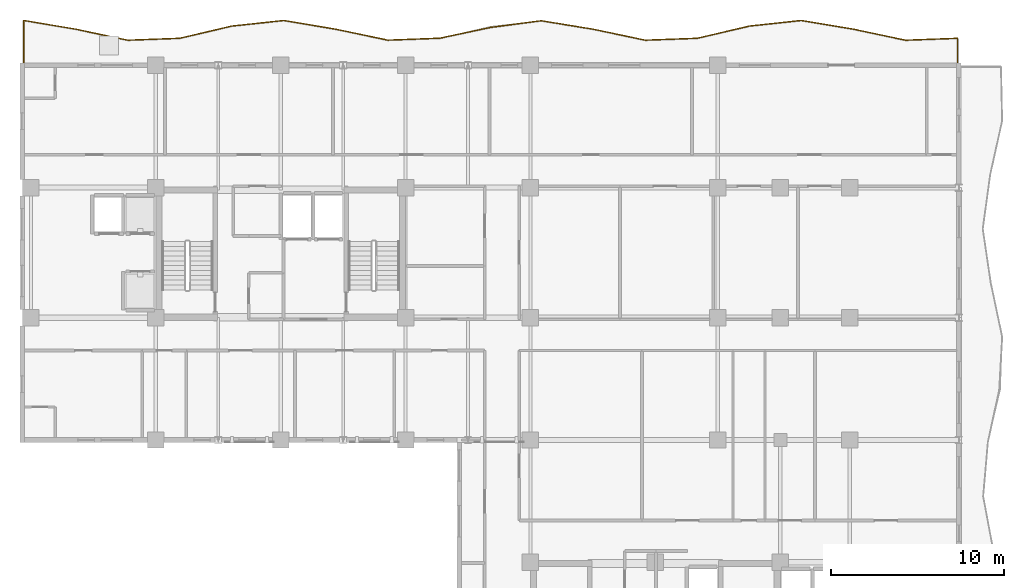
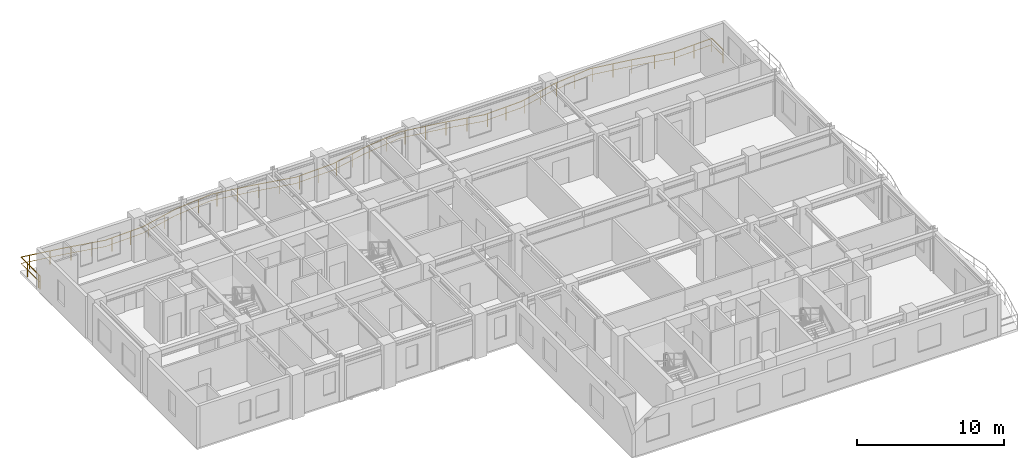
# One storey, part 13 of 14: 1 railing.
"""IFC4 building model written with IfcOpenShell, lengths in metres."""

import ifcopenshell
import ifcopenshell.guid

model = None  # the IFC model being written
_history = None  # IfcOwnerHistory: only IFC2X3 demands one
_inside = {}  # id of a spatial element -> (the spatial element, [elements in it])
_under = {}  # id of a project, library or spatial element -> (it, [spatial elements below it])
_declared = {}  # id of a project -> (the project, [libraries it declares])
_typed = {}  # id of a type object -> (the type object, [elements of that type])
_made_of = {}  # id of a material, layer set ... -> (it, [elements and type objects made of it])


def new_model(schema):
    """Start an empty IFC model of exactly this schema.

    Asked for "IFC4X3", IfcOpenShell would pick the latest addendum, in which some entities
    have other attributes; the version numbers below select the first issue.
    IFC2X3 requires an IfcOwnerHistory on every rooted entity: one is made here for all.
    """
    global model, _history
    if schema == "IFC4X3":
        model = ifcopenshell.file(schema_version=(4, 3, 0, 0))
    else:
        model = ifcopenshell.file(schema=schema)
    _inside.clear()
    _under.clear()
    _declared.clear()
    _typed.clear()
    _made_of.clear()
    _history = None
    if model.schema == "IFC2X3":
        org = make("IfcOrganization", Name="unknown")
        user = make(
            "IfcPersonAndOrganization",
            ThePerson=make("IfcPerson", FamilyName="unknown"),
            TheOrganization=org,
        )
        app = make(
            "IfcApplication",
            ApplicationDeveloper=org,
            Version="unknown",
            ApplicationFullName="unknown",
            ApplicationIdentifier="unknown",
        )
        _history = make(
            "IfcOwnerHistory",
            OwningUser=user,
            OwningApplication=app,
            ChangeAction="ADDED",
            CreationDate=0,
        )
    return model


def make(cls, **values):
    """One entity of the class cls with the attributes given. An attribute that is None is left unset."""
    return model.create_entity(
        cls, **{name: value for name, value in values.items() if value is not None}
    )


def rooted(cls, **values):
    """An entity with a GlobalId (a new one), such as an element, a storey or a relation."""
    return make(cls, GlobalId=ifcopenshell.guid.new(), OwnerHistory=_history, **values)


def si_unit(unit_type, name, prefix=None):
    """IfcSIUnit, for example si_unit("LENGTHUNIT", "METRE", prefix="MILLI")."""
    return make("IfcSIUnit", UnitType=unit_type, Prefix=prefix, Name=name)


def assignment(units):
    """IfcUnitAssignment: the units of a project."""
    return None if units is None else make("IfcUnitAssignment", Units=units)


def point(xyz):
    """IfcCartesianPoint."""
    return None if xyz is None else make("IfcCartesianPoint", Coordinates=xyz)


def direction(xyz):
    """IfcDirection."""
    return None if xyz is None else make("IfcDirection", DirectionRatios=xyz)


def frame(location, z_axis=None, x_axis=None):
    """IfcAxis2Placement3D, a coordinate frame: its origin and axes. An axis left out is left unset."""
    return make(
        "IfcAxis2Placement3D",
        Location=point(location),
        Axis=direction(z_axis),
        RefDirection=direction(x_axis),
    )


def frame_2d(location, x_axis=None):
    """IfcAxis2Placement2D, a coordinate frame in the plane: its origin and x axis."""
    return make(
        "IfcAxis2Placement2D", Location=point(location), RefDirection=direction(x_axis)
    )


def origin():
    """The frame at (0, 0, 0) with its axes left unset."""
    return frame((0.0, 0.0, 0.0))


def origin_2d():
    """The frame at (0, 0) in the plane with its x axis left unset."""
    return frame_2d((0.0, 0.0))


def place(relative_to, where):
    """IfcLocalPlacement: puts the frame where relative to a parent placement (None: the world)."""
    return make(
        "IfcLocalPlacement", PlacementRelTo=relative_to, RelativePlacement=where
    )


def context(
    kind, dimensions, precision=None, world=None, true_north=None, identifier=None
):
    """IfcGeometricRepresentationContext, for example the 3D "Model" context."""
    return make(
        "IfcGeometricRepresentationContext",
        ContextIdentifier=identifier,
        ContextType=kind,
        CoordinateSpaceDimension=dimensions,
        Precision=precision,
        WorldCoordinateSystem=world,
        TrueNorth=true_north,
    )


def subcontext(parent, identifier, kind, view, scale=None):
    """IfcGeometricRepresentationSubContext, for example "Body" below "Model"."""
    return make(
        "IfcGeometricRepresentationSubContext",
        ContextIdentifier=identifier,
        ContextType=kind,
        ParentContext=parent,
        TargetScale=scale,
        TargetView=view,
    )


def project(units=None, contexts=None):
    """IfcProject with its units and contexts."""
    return rooted(
        "IfcProject",
        Name="project",
        RepresentationContexts=contexts,
        UnitsInContext=assignment(units),
    )


def spatial(cls, under=None, at=None, **own):
    """A site, building, storey or space (cls), placed at a placement, below another one or the project."""
    s = rooted(cls, ObjectPlacement=at, **own)
    if under is not None:
        _under.setdefault(under.id(), (under, []))[1].append(s)
    return s


def profile(cls, at=None, kind="AREA", **sizes):
    """A parametric profile (cls). Its sizes go by their IFC names, for example OverallWidth=200.0."""
    return make(cls, ProfileType=kind, Position=at, **sizes)


def rectangle(**sizes):
    """IfcRectangleProfileDef."""
    return profile("IfcRectangleProfileDef", **sizes)


def extrude(swept, where, along, depth):
    """IfcExtrudedAreaSolid: the profile swept, set in the frame where, extruded along a direction by depth."""
    return make(
        "IfcExtrudedAreaSolid",
        SweptArea=swept,
        Position=where,
        ExtrudedDirection=direction(along),
        Depth=depth,
    )


def shape(context_of_items, identifier, shape_type, items):
    """IfcShapeRepresentation: the items that make up one representation, for example the "Body"."""
    return make(
        "IfcShapeRepresentation",
        ContextOfItems=context_of_items,
        RepresentationIdentifier=identifier,
        RepresentationType=shape_type,
        Items=items,
    )


def material(Name=None, Category=None):
    """IfcMaterial."""
    return make("IfcMaterial", Name=Name, Category=Category)


def made_of(thing, what):
    """Note that an element or type object is made of a material, layer set ...; save() writes the relation."""
    if what is not None:
        _made_of.setdefault(what.id(), (what, []))[1].append(thing)
    return thing


def type_object(cls, material=None, **own):
    """A type object (cls), such as IfcWallType, which elements share."""
    return made_of(rooted(cls, **own), material)


def element(
    cls,
    number,
    at=None,
    inside=None,
    cuts=None,
    type_object=None,
    material=None,
    context=None,
    identifier="Body",
    shape_type=None,
    held_by="IfcProductDefinitionShape",
    body=None,
    shapes=None,
    **own,
):
    """One element of the class cls, such as IfcWall. Its Tag is "e" and its number.

    at: its placement. inside: the storey or other place that contains it. cuts: it is an
    opening in that element (IfcRelVoidsElement). A single representation is given by context,
    identifier, shape_type and body (its items); several are given by shapes. held_by: the class
    of the entity that holds the representations. save() writes the other relations.
    """
    e = rooted(cls, Tag="e%d" % number, ObjectPlacement=at, **own)
    if body is not None:
        shapes = [shape(context, identifier, shape_type, body)]
    if shapes is not None:
        e.Representation = make(held_by, Representations=shapes)
    if inside is not None:
        _inside.setdefault(inside.id(), (inside, []))[1].append(e)
    if cuts is not None:
        rooted(
            "IfcRelVoidsElement", RelatingBuildingElement=cuts, RelatedOpeningElement=e
        )
    if type_object is not None:
        _typed.setdefault(type_object.id(), (type_object, []))[1].append(e)
    return made_of(e, material)


def aggregate(whole, parts):
    """IfcRelAggregates: a whole, such as a stair, and the parts it consists of."""
    return rooted("IfcRelAggregates", RelatingObject=whole, RelatedObjects=parts)


def save(model, path):
    """Write the relations noted so far, then the file.

    IfcRelAggregates (storeys below a building ...), IfcRelContainedInSpatialStructure (elements
    in a storey), IfcRelDefinesByType, IfcRelAssociatesMaterial and IfcRelDeclares: one each for
    every whole, place, type object, material and project.
    """
    for whole, parts in _under.values():
        aggregate(whole, parts)
    for where, things in _inside.values():
        rooted(
            "IfcRelContainedInSpatialStructure",
            RelatedElements=things,
            RelatingStructure=where,
        )
    for kind, things in _typed.values():
        rooted("IfcRelDefinesByType", RelatedObjects=things, RelatingType=kind)
    for what, things in _made_of.values():
        rooted("IfcRelAssociatesMaterial", RelatedObjects=things, RelatingMaterial=what)
    for by, libraries in _declared.values():
        rooted("IfcRelDeclares", RelatingContext=by, RelatedDefinitions=libraries)
    model.write(path)


model = new_model("IFC4")

# Units and contexts
model_context = context("Model", 3, precision=1e-05, world=origin(), true_north=direction((0.0, 1.0)))
body_context = subcontext(model_context, "Body", "Model", "MODEL_VIEW")
ifc_project = project(units=[si_unit("LENGTHUNIT", "METRE"), si_unit("AREAUNIT", "SQUARE_METRE"), si_unit("VOLUMEUNIT", "CUBIC_METRE"), si_unit("PLANEANGLEUNIT", "RADIAN"), si_unit("MASSUNIT", "GRAM", prefix="KILO")], contexts=[model_context])

# Site, building, storey
site_placement = place(None, origin())
site = spatial("IfcSite", under=ifc_project, at=site_placement, CompositionType="ELEMENT")
building_placement = place(site_placement, origin())
building = spatial("IfcBuilding", under=site, at=building_placement, Name="Kaliganga Portal Commons", CompositionType="ELEMENT")
storey_placement = place(building_placement, frame((0.0, 0.0, 220.300048828125)))
storey = spatial("IfcBuildingStorey", under=building, at=storey_placement, Name="L56", CompositionType="ELEMENT", Elevation=220.300048828125)

# Railing
ifc_material = material(Name="Laminated Safety Glass and Stainless Steel 316", Category="steel")
railing_type = type_object("IfcRailingType", Name="RLG-BAL-1150", PredefinedType="BALUSTRADE", material=ifc_material)
railing_placement = place(storey_placement, frame((60.6201171875, 43.205322265625, 0.0)))
element("IfcRailing", 1, at=railing_placement, inside=storey, type_object=railing_type, Name="Balcony Guardrail L56 balc_north", PredefinedType="BALUSTRADE", context=body_context, shape_type="SweptSolid", body=[
    extrude(rectangle(XDim=0.048095703125, YDim=0.048095703125, at=origin_2d()), frame((0.0, 0.0, 1.1259765625), z_axis=(0.0, 1.0, 0.0), x_axis=(-1.0, 0.0, 0.0)), (0.0, 0.0, 1.0), 1.5556640625),
    extrude(rectangle(XDim=0.028076171875, YDim=0.028076171875, at=origin_2d()), frame((0.0, 0.0, 0.597900390625), z_axis=(0.0, 1.0, 0.0), x_axis=(-1.0, 0.0, 0.0)), (0.0, 0.0, 1.0), 1.5556640625),
    extrude(rectangle(XDim=0.048095703125, YDim=0.048095703125, at=origin_2d()), frame((0.0, 1.5556640625, 1.1259765625), z_axis=(-0.999309140454, -0.03716506162, 0.0), x_axis=(0.03716506162, -0.999309140454, 0.0)), (0.0, 0.0, 1.0), 3.001953125),
    extrude(rectangle(XDim=0.028076171875, YDim=0.028076171875, at=origin_2d()), frame((0.0, 1.5556640625, 0.597900390625), z_axis=(-0.999309140454, -0.03716506162, 0.0), x_axis=(0.03716506162, -0.999309140454, 0.0)), (0.0, 0.0, 1.0), 3.001953125),
    extrude(rectangle(XDim=0.048095703125, YDim=0.048095703125, at=origin_2d()), frame((-3.0, 1.444091796875, 1.1259765625), z_axis=(-0.978275241205, 0.207310280607, 0.0), x_axis=(-0.207310280607, -0.978275241205, 0.0)), (0.0, 0.0, 1.0), 3.066650390625),
    extrude(rectangle(XDim=0.028076171875, YDim=0.028076171875, at=origin_2d()), frame((-3.0, 1.444091796875, 0.597900390625), z_axis=(-0.978275241205, 0.207310280607, 0.0), x_axis=(-0.207310280607, -0.978275241205, 0.0)), (0.0, 0.0, 1.0), 3.066650390625),
    extrude(rectangle(XDim=0.048095703125, YDim=0.048095703125, at=origin_2d()), frame((-6.0, 2.079833984375, 1.1259765625), z_axis=(-0.986198008648, 0.165570189766, 0.0), x_axis=(-0.165570189766, -0.986198008648, 0.0)), (0.0, 0.0, 1.0), 3.0419921875),
    extrude(rectangle(XDim=0.028076171875, YDim=0.028076171875, at=origin_2d()), frame((-6.0, 2.079833984375, 0.597900390625), z_axis=(-0.986198008648, 0.165570189766, 0.0), x_axis=(-0.165570189766, -0.986198008648, 0.0)), (0.0, 0.0, 1.0), 3.0419921875),
    extrude(rectangle(XDim=0.048095703125, YDim=0.048095703125, at=origin_2d()), frame((-9.0, 2.58349609375, 1.1259765625), z_axis=(-0.994219425712, -0.107367283359, 0.0), x_axis=(0.107367283359, -0.994219425712, 0.0)), (0.0, 0.0, 1.0), 3.017333984375),
    extrude(rectangle(XDim=0.028076171875, YDim=0.028076171875, at=origin_2d()), frame((-9.0, 2.58349609375, 0.597900390625), z_axis=(-0.994219425712, -0.107367283359, 0.0), x_axis=(0.107367283359, -0.994219425712, 0.0)), (0.0, 0.0, 1.0), 3.017333984375),
    extrude(rectangle(XDim=0.048095703125, YDim=0.048095703125, at=origin_2d()), frame((-12.0, 2.259521484375, 1.1259765625), z_axis=(-0.973633911269, -0.228116213423, 0.0), x_axis=(0.228116213423, -0.973633911269, 0.0)), (0.0, 0.0, 1.0), 3.081298828125),
    extrude(rectangle(XDim=0.028076171875, YDim=0.028076171875, at=origin_2d()), frame((-12.0, 2.259521484375, 0.597900390625), z_axis=(-0.973633911269, -0.228116213423, 0.0), x_axis=(0.228116213423, -0.973633911269, 0.0)), (0.0, 0.0, 1.0), 3.081298828125),
    extrude(rectangle(XDim=0.048095703125, YDim=0.048095703125, at=origin_2d()), frame((-15.0, 1.556640625, 1.1259765625), z_axis=(-0.999321169091, -0.036840209114, 0.0), x_axis=(0.036840209114, -0.999321169091, 0.0)), (0.0, 0.0, 1.0), 3.001953125),
    extrude(rectangle(XDim=0.028076171875, YDim=0.028076171875, at=origin_2d()), frame((-15.0, 1.556640625, 0.597900390625), z_axis=(-0.999321169091, -0.036840209114, 0.0), x_axis=(0.036840209114, -0.999321169091, 0.0)), (0.0, 0.0, 1.0), 3.001953125),
    extrude(rectangle(XDim=0.048095703125, YDim=0.048095703125, at=origin_2d()), frame((-18.0, 1.446044921875, 1.1259765625), z_axis=(-0.978597077501, 0.205785713563, 0.0), x_axis=(-0.205785713563, -0.978597077501, 0.0)), (0.0, 0.0, 1.0), 3.065673828125),
    extrude(rectangle(XDim=0.028076171875, YDim=0.028076171875, at=origin_2d()), frame((-18.0, 1.446044921875, 0.597900390625), z_axis=(-0.978597077501, 0.205785713563, 0.0), x_axis=(-0.205785713563, -0.978597077501, 0.0)), (0.0, 0.0, 1.0), 3.065673828125),
    extrude(rectangle(XDim=0.048095703125, YDim=0.048095703125, at=origin_2d()), frame((-21.0, 2.076904296875, 1.1259765625), z_axis=(-0.986925313744, 0.161178240128, 0.0), x_axis=(-0.161178240128, -0.986925313744, 0.0)), (0.0, 0.0, 1.0), 3.037109375),
    extrude(rectangle(XDim=0.028076171875, YDim=0.028076171875, at=origin_2d()), frame((-21.0, 2.076904296875, 0.597900390625), z_axis=(-0.986925313744, 0.161178240128, 0.0), x_axis=(-0.161178240128, -0.986925313744, 0.0)), (0.0, 0.0, 1.0), 3.037109375),
    extrude(rectangle(XDim=0.048095703125, YDim=0.048095703125, at=origin_2d()), frame((-23.997314453125, 2.56640625, 1.1259765625), z_axis=(-0.991467820321, -0.130351683026, 0.0), x_axis=(0.130351683026, -0.991467820321, 0.0)), (0.0, 0.0, 1.0), 2.947998046875),
    extrude(rectangle(XDim=0.028076171875, YDim=0.028076171875, at=origin_2d()), frame((-23.997314453125, 2.56640625, 0.597900390625), z_axis=(-0.991467820321, -0.130351683026, 0.0), x_axis=(0.130351683026, -0.991467820321, 0.0)), (0.0, 0.0, 1.0), 2.947998046875),
    extrude(rectangle(XDim=0.048095703125, YDim=0.048095703125, at=origin_2d()), frame((-26.920166015625, 2.18212890625, 1.1259765625), z_axis=(-0.978137438655, -0.207959493897, 0.0), x_axis=(0.207959493897, -0.978137438655, 0.0)), (0.0, 0.0, 1.0), 2.9853515625),
    extrude(rectangle(XDim=0.028076171875, YDim=0.028076171875, at=origin_2d()), frame((-26.920166015625, 2.18212890625, 0.597900390625), z_axis=(-0.978137438655, -0.207959493897, 0.0), x_axis=(0.207959493897, -0.978137438655, 0.0)), (0.0, 0.0, 1.0), 2.9853515625),
    extrude(rectangle(XDim=0.048095703125, YDim=0.048095703125, at=origin_2d()), frame((-29.84033203125, 1.561279296875, 1.1259765625), z_axis=(-0.999281691014, -0.037895936524, 0.0), x_axis=(0.037895936524, -0.999281691014, 0.0)), (0.0, 0.0, 1.0), 3.002197265625),
    extrude(rectangle(XDim=0.028076171875, YDim=0.028076171875, at=origin_2d()), frame((-29.84033203125, 1.561279296875, 0.597900390625), z_axis=(-0.999281691014, -0.037895936524, 0.0), x_axis=(0.037895936524, -0.999281691014, 0.0)), (0.0, 0.0, 1.0), 3.002197265625),
    extrude(rectangle(XDim=0.048095703125, YDim=0.048095703125, at=origin_2d()), frame((-32.84033203125, 1.447509765625, 1.1259765625), z_axis=(-0.978593704597, 0.205801752477, 0.0), x_axis=(-0.205801752477, -0.978593704597, 0.0)), (0.0, 0.0, 1.0), 3.0654296875),
    extrude(rectangle(XDim=0.028076171875, YDim=0.028076171875, at=origin_2d()), frame((-32.84033203125, 1.447509765625, 0.597900390625), z_axis=(-0.978593704597, 0.205801752477, 0.0), x_axis=(-0.205801752477, -0.978593704597, 0.0)), (0.0, 0.0, 1.0), 3.0654296875),
    extrude(rectangle(XDim=0.048095703125, YDim=0.048095703125, at=origin_2d()), frame((-35.840087890625, 2.078369140625, 1.1259765625), z_axis=(-0.986213308315, 0.165479033424, 0.0), x_axis=(-0.165479033424, -0.986213308315, 0.0)), (0.0, 0.0, 1.0), 3.042236328125),
    extrude(rectangle(XDim=0.028076171875, YDim=0.028076171875, at=origin_2d()), frame((-35.840087890625, 2.078369140625, 0.597900390625), z_axis=(-0.986213308315, 0.165479033424, 0.0), x_axis=(-0.165479033424, -0.986213308315, 0.0)), (0.0, 0.0, 1.0), 3.042236328125),
    extrude(rectangle(XDim=0.048095703125, YDim=0.048095703125, at=origin_2d()), frame((-38.84033203125, 2.581787109375, 1.1259765625), z_axis=(-0.9942788065, -0.106815986374, 0.0), x_axis=(0.106815986374, -0.9942788065, 0.0)), (0.0, 0.0, 1.0), 3.01708984375),
    extrude(rectangle(XDim=0.028076171875, YDim=0.028076171875, at=origin_2d()), frame((-38.84033203125, 2.581787109375, 0.597900390625), z_axis=(-0.9942788065, -0.106815986374, 0.0), x_axis=(0.106815986374, -0.9942788065, 0.0)), (0.0, 0.0, 1.0), 3.01708984375),
    extrude(rectangle(XDim=0.048095703125, YDim=0.048095703125, at=origin_2d()), frame((-41.840087890625, 2.259521484375, 1.1259765625), z_axis=(-0.973598704709, -0.228266428082, 0.0), x_axis=(0.228266428082, -0.973598704709, 0.0)), (0.0, 0.0, 1.0), 3.081298828125),
    extrude(rectangle(XDim=0.028076171875, YDim=0.028076171875, at=origin_2d()), frame((-41.840087890625, 2.259521484375, 0.597900390625), z_axis=(-0.973598704709, -0.228266428082, 0.0), x_axis=(0.228266428082, -0.973598704709, 0.0)), (0.0, 0.0, 1.0), 3.081298828125),
    extrude(rectangle(XDim=0.048095703125, YDim=0.048095703125, at=origin_2d()), frame((-44.840087890625, 1.55615234375, 1.1259765625), z_axis=(-0.99930611684, -0.03724627291, 0.0), x_axis=(0.03724627291, -0.99930611684, 0.0)), (0.0, 0.0, 1.0), 3.002197265625),
    extrude(rectangle(XDim=0.028076171875, YDim=0.028076171875, at=origin_2d()), frame((-44.840087890625, 1.55615234375, 0.597900390625), z_axis=(-0.99930611684, -0.03724627291, 0.0), x_axis=(0.03724627291, -0.99930611684, 0.0)), (0.0, 0.0, 1.0), 3.002197265625),
    extrude(rectangle(XDim=0.048095703125, YDim=0.048095703125, at=origin_2d()), frame((-47.840087890625, 1.4443359375, 1.1259765625), z_axis=(-0.978275241205, 0.207310280607, 0.0), x_axis=(-0.207310280607, -0.978275241205, 0.0)), (0.0, 0.0, 1.0), 3.066650390625),
    extrude(rectangle(XDim=0.028076171875, YDim=0.028076171875, at=origin_2d()), frame((-47.840087890625, 1.4443359375, 0.597900390625), z_axis=(-0.978275241205, 0.207310280607, 0.0), x_axis=(-0.207310280607, -0.978275241205, 0.0)), (0.0, 0.0, 1.0), 3.066650390625),
    extrude(rectangle(XDim=0.048095703125, YDim=0.048095703125, at=origin_2d()), frame((-50.840087890625, 2.080078125, 1.1259765625), z_axis=(-0.986145542963, 0.165882392359, 0.0), x_axis=(-0.165882392359, -0.986145542963, 0.0)), (0.0, 0.0, 1.0), 3.042236328125),
    extrude(rectangle(XDim=0.028076171875, YDim=0.028076171875, at=origin_2d()), frame((-50.840087890625, 2.080078125, 0.597900390625), z_axis=(-0.986145542963, 0.165882392359, 0.0), x_axis=(-0.165882392359, -0.986145542963, 0.0)), (0.0, 0.0, 1.0), 3.042236328125),
    extrude(rectangle(XDim=0.048095703125, YDim=0.048095703125, at=origin_2d()), frame((-53.840087890625, 2.584716796875, 1.1259765625), z_axis=(-9.4455464e-05, -0.999999995539, 0.0), x_axis=(0.999999995539, -9.4455464e-05, 0.0)), (0.0, 0.0, 1.0), 2.584716796875),
    extrude(rectangle(XDim=0.028076171875, YDim=0.028076171875, at=origin_2d()), frame((-53.840087890625, 2.584716796875, 0.597900390625), z_axis=(-9.4455464e-05, -0.999999995539, 0.0), x_axis=(0.999999995539, -9.4455464e-05, 0.0)), (0.0, 0.0, 1.0), 2.584716796875),
    extrude(rectangle(XDim=0.0419921875, YDim=0.0419921875, at=origin_2d()), origin(), (0.0, 0.0, 1.0), 1.101806640625),
    extrude(rectangle(XDim=0.0419921875, YDim=0.0419921875, at=origin_2d()), frame((0.0, 1.5556640625, 0.0)), (0.0, 0.0, 1.0), 1.101806640625),
    extrude(rectangle(XDim=0.0419921875, YDim=0.0419921875, at=origin_2d()), frame((-1.443359375, 1.501953125, 0.0)), (0.0, 0.0, 1.0), 1.101806640625),
    extrude(rectangle(XDim=0.0419921875, YDim=0.0419921875, at=origin_2d()), frame((-3.0, 1.444091796875, 0.0)), (0.0, 0.0, 1.0), 1.101806640625),
    extrude(rectangle(XDim=0.0419921875, YDim=0.0419921875, at=origin_2d()), frame((-4.410888671875, 1.7431640625, 0.0)), (0.0, 0.0, 1.0), 1.101806640625),
    extrude(rectangle(XDim=0.0419921875, YDim=0.0419921875, at=origin_2d()), frame((-6.0, 2.079833984375, 0.0)), (0.0, 0.0, 1.0), 1.101806640625),
    extrude(rectangle(XDim=0.0419921875, YDim=0.0419921875, at=origin_2d()), frame((-7.356689453125, 2.3076171875, 0.0)), (0.0, 0.0, 1.0), 1.101806640625),
    extrude(rectangle(XDim=0.0419921875, YDim=0.0419921875, at=origin_2d()), frame((-8.8359375, 2.555908203125, 0.0)), (0.0, 0.0, 1.0), 1.101806640625),
    extrude(rectangle(XDim=0.0419921875, YDim=0.0419921875, at=origin_2d()), frame((-10.325927734375, 2.440185546875, 0.0)), (0.0, 0.0, 1.0), 1.101806640625),
    extrude(rectangle(XDim=0.0419921875, YDim=0.0419921875, at=origin_2d()), frame((-11.8173828125, 2.279296875, 0.0)), (0.0, 0.0, 1.0), 1.101806640625),
    extrude(rectangle(XDim=0.0419921875, YDim=0.0419921875, at=origin_2d()), frame((-13.281494140625, 1.959228515625, 0.0)), (0.0, 0.0, 1.0), 1.101806640625),
    extrude(rectangle(XDim=0.0419921875, YDim=0.0419921875, at=origin_2d()), frame((-14.741943359375, 1.6171875, 0.0)), (0.0, 0.0, 1.0), 1.101806640625),
    extrude(rectangle(XDim=0.0419921875, YDim=0.0419921875, at=origin_2d()), frame((-16.234130859375, 1.51123046875, 0.0)), (0.0, 0.0, 1.0), 1.101806640625),
    extrude(rectangle(XDim=0.0419921875, YDim=0.0419921875, at=origin_2d()), frame((-17.733154296875, 1.455810546875, 0.0)), (0.0, 0.0, 1.0), 1.101806640625),
    extrude(rectangle(XDim=0.0419921875, YDim=0.0419921875, at=origin_2d()), frame((-19.20654296875, 1.69970703125, 0.0)), (0.0, 0.0, 1.0), 1.101806640625),
    extrude(rectangle(XDim=0.0419921875, YDim=0.0419921875, at=origin_2d()), frame((-20.674560546875, 2.008544921875, 0.0)), (0.0, 0.0, 1.0), 1.101806640625),
    extrude(rectangle(XDim=0.0419921875, YDim=0.0419921875, at=origin_2d()), frame((-22.152099609375, 2.26513671875, 0.0)), (0.0, 0.0, 1.0), 1.101806640625),
    extrude(rectangle(XDim=0.0419921875, YDim=0.0419921875, at=origin_2d()), frame((-23.632568359375, 2.5068359375, 0.0)), (0.0, 0.0, 1.0), 1.101806640625),
    extrude(rectangle(XDim=0.0419921875, YDim=0.0419921875, at=origin_2d()), frame((-25.117919921875, 2.419189453125, 0.0)), (0.0, 0.0, 1.0), 1.101806640625),
    extrude(rectangle(XDim=0.0419921875, YDim=0.0419921875, at=origin_2d()), frame((-26.605224609375, 2.2236328125, 0.0)), (0.0, 0.0, 1.0), 1.101806640625),
    extrude(rectangle(XDim=0.0419921875, YDim=0.0419921875, at=origin_2d()), frame((-28.07666015625, 1.936279296875, 0.0)), (0.0, 0.0, 1.0), 1.101806640625),
    extrude(rectangle(XDim=0.0419921875, YDim=0.0419921875, at=origin_2d()), frame((-29.543701171875, 1.624267578125, 0.0)), (0.0, 0.0, 1.0), 1.101806640625),
    extrude(rectangle(XDim=0.0419921875, YDim=0.0419921875, at=origin_2d()), frame((-31.036376953125, 1.515869140625, 0.0)), (0.0, 0.0, 1.0), 1.101806640625),
    extrude(rectangle(XDim=0.0419921875, YDim=0.0419921875, at=origin_2d()), frame((-32.53515625, 1.458984375, 0.0)), (0.0, 0.0, 1.0), 1.101806640625),
    extrude(rectangle(XDim=0.0419921875, YDim=0.0419921875, at=origin_2d()), frame((-34.009521484375, 1.693359375, 0.0)), (0.0, 0.0, 1.0), 1.101806640625),
    extrude(rectangle(XDim=0.0419921875, YDim=0.0419921875, at=origin_2d()), frame((-35.477294921875, 2.002197265625, 0.0)), (0.0, 0.0, 1.0), 1.101806640625),
    extrude(rectangle(XDim=0.0419921875, YDim=0.0419921875, at=origin_2d()), frame((-36.953857421875, 2.26513671875, 0.0)), (0.0, 0.0, 1.0), 1.101806640625),
    extrude(rectangle(XDim=0.0419921875, YDim=0.0419921875, at=origin_2d()), frame((-38.43310546875, 2.513427734375, 0.0)), (0.0, 0.0, 1.0), 1.101806640625),
    extrude(rectangle(XDim=0.0419921875, YDim=0.0419921875, at=origin_2d()), frame((-39.921142578125, 2.465576171875, 0.0)), (0.0, 0.0, 1.0), 1.101806640625),
    extrude(rectangle(XDim=0.0419921875, YDim=0.0419921875, at=origin_2d()), frame((-41.41259765625, 2.305419921875, 0.0)), (0.0, 0.0, 1.0), 1.101806640625),
    extrude(rectangle(XDim=0.0419921875, YDim=0.0419921875, at=origin_2d()), frame((-42.882080078125, 2.01513671875, 0.0)), (0.0, 0.0, 1.0), 1.101806640625),
    extrude(rectangle(XDim=0.0419921875, YDim=0.0419921875, at=origin_2d()), frame((-44.34228515625, 1.6728515625, 0.0)), (0.0, 0.0, 1.0), 1.101806640625),
    extrude(rectangle(XDim=0.0419921875, YDim=0.0419921875, at=origin_2d()), frame((-45.828125, 1.519287109375, 0.0)), (0.0, 0.0, 1.0), 1.101806640625),
    extrude(rectangle(XDim=0.0419921875, YDim=0.0419921875, at=origin_2d()), frame((-47.3271484375, 1.46337890625, 0.0)), (0.0, 0.0, 1.0), 1.101806640625),
    extrude(rectangle(XDim=0.0419921875, YDim=0.0419921875, at=origin_2d()), frame((-48.805419921875, 1.64892578125, 0.0)), (0.0, 0.0, 1.0), 1.101806640625),
    extrude(rectangle(XDim=0.0419921875, YDim=0.0419921875, at=origin_2d()), frame((-50.272705078125, 1.9599609375, 0.0)), (0.0, 0.0, 1.0), 1.101806640625),
    extrude(rectangle(XDim=0.0419921875, YDim=0.0419921875, at=origin_2d()), frame((-51.747314453125, 2.232666015625, 0.0)), (0.0, 0.0, 1.0), 1.101806640625),
    extrude(rectangle(XDim=0.0419921875, YDim=0.0419921875, at=origin_2d()), frame((-53.2265625, 2.4814453125, 0.0)), (0.0, 0.0, 1.0), 1.101806640625),
    extrude(rectangle(XDim=0.0419921875, YDim=0.0419921875, at=origin_2d()), frame((-53.840087890625, 1.706787109375, 0.0)), (0.0, 0.0, 1.0), 1.101806640625),
    extrude(rectangle(XDim=0.0419921875, YDim=0.0419921875, at=origin_2d()), frame((-53.84033203125, 0.206787109375, 0.0)), (0.0, 0.0, 1.0), 1.101806640625),
    extrude(rectangle(XDim=0.0419921875, YDim=0.0419921875, at=origin_2d()), frame((-53.84033203125, 0.0, 0.0)), (0.0, 0.0, 1.0), 1.101806640625),
])

save(model, "model.ifc")
